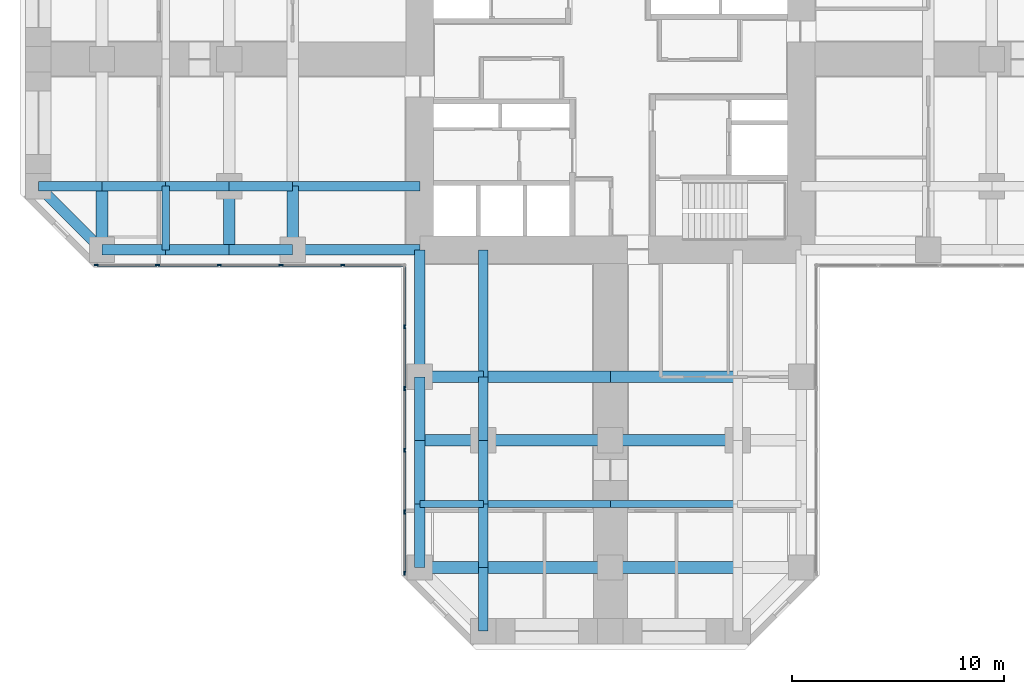
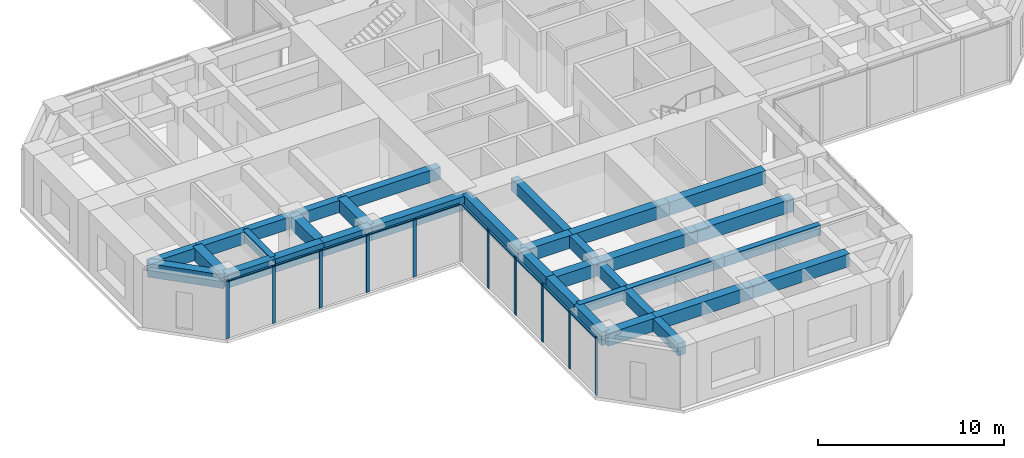
# One storey, part 2 of 13: 35 beams, 20 members, 2 elements without a shape of their own.
"""IFC4 building model written with IfcOpenShell, lengths in metres."""

from ifc_helpers import new_model, si_unit, direction, frame, origin, origin_2d, place, context, subcontext, project, spatial, rectangle, extrude, material, material_profile, profile_set, type_object, element, aggregate, save


model = new_model("IFC4")

# Units and contexts
model_context = context("Model", 3, precision=1e-05, world=origin(), true_north=direction((0.0, 1.0)))
body_context = subcontext(model_context, "Body", "Model", "MODEL_VIEW")
ifc_project = project(units=[si_unit("LENGTHUNIT", "METRE"), si_unit("AREAUNIT", "SQUARE_METRE"), si_unit("VOLUMEUNIT", "CUBIC_METRE"), si_unit("PLANEANGLEUNIT", "RADIAN"), si_unit("MASSUNIT", "GRAM", prefix="KILO")], contexts=[model_context])

# Site, building, storey
site_placement = place(None, origin())
site = spatial("IfcSite", under=ifc_project, at=site_placement, CompositionType="ELEMENT")
building_placement = place(site_placement, origin())
building = spatial("IfcBuilding", under=site, at=building_placement, Name="Torre Cruceta", CompositionType="ELEMENT")
storey_placement = place(building_placement, frame((0.0, 0.0, 31.5)))
storey = spatial("IfcBuildingStorey", under=building, at=storey_placement, Name="L07", CompositionType="ELEMENT", Elevation=31.5)

# Beams
ifc_material_1 = material(Name="Concrete G60 (fck 60 MPa)", Category="concrete")
ifc_material_profile_1 = material_profile(ifc_material_1, rectangle(XDim=0.449951171875, YDim=0.800048828125, at=origin_2d()), Name="RC 450X800")
ifc_profile_set_1 = profile_set([ifc_material_profile_1], Name="Concrete G60 (fck 60 MPa)")
beam_type_1 = type_object("IfcBeamType", Name="COLUMN LINE BEAM RC 450X800", PredefinedType="BEAM", material=ifc_profile_set_1)
beam_1_placement = place(storey_placement, frame((-6.0, -9.0, 3.39990234375), z_axis=(0.0, -1.0, 0.0), x_axis=(1.0, 0.0, 0.0)))
element("IfcBeam", 1, at=beam_1_placement, inside=storey, type_object=beam_type_1, Name="LB1 L07 S col- 1", PredefinedType="BEAM", context=body_context, shape_type="SweptSolid", body=[
    extrude(rectangle(XDim=0.449951171875, YDim=0.800048828125, at=origin_2d()), origin(), (0.0, 0.0, 1.0), 6.0),
])
for number, where, z_axis, x_axis, name in (
    (2, (-6.0, -15.0, 3.39990234375), (0.0, -1.0, 0.0), (1.0, 0.0, 0.0), "LB1 L07 S col- 2"),
    (3, (-6.0, -18.0, 3.39990234375), (0.0, -1.0, 0.0), (1.0, 0.0, 0.0), "LB1 L07 S col- 3"),
    (4, (-6.0, -21.0, 3.39990234375), (0.0, -1.0, 0.0), (1.0, 0.0, 0.0), "LB1 L07 S col- 4"),
    (5, (-6.0, -24.0, 3.39990234375), (0.0, -1.0, 0.0), (1.0, 0.0, 0.0), "LB1 L07 S col- 5"),
):
    element("IfcBeam", number, at=place(storey_placement, frame(where, z_axis=z_axis, x_axis=x_axis)), inside=storey, type_object=beam_type_1, Name=name, PredefinedType="BEAM", context=body_context, shape_type="SweptSolid", body=[
        extrude(rectangle(XDim=0.449951171875, YDim=0.800048828125, at=origin_2d()), origin(), (0.0, 0.0, 1.0), 3.0),
    ])
beam_2_placement = place(storey_placement, frame((-9.0, -6.0, 3.39990234375), z_axis=(-1.0, 0.0, 0.0), x_axis=(0.0, -1.0, 0.0)))
element("IfcBeam", 6, at=beam_2_placement, inside=storey, type_object=beam_type_1, Name="LB1 L07 W col+ 1", PredefinedType="BEAM", context=body_context, shape_type="SweptSolid", body=[
    extrude(rectangle(XDim=0.449951171875, YDim=0.800048828125, at=origin_2d()), origin(), (0.0, 0.0, 1.0), 6.0),
])
for number, where, z_axis, x_axis, name in (
    (7, (-15.0, -6.0, 3.39990234375), (-1.0, 0.0, 0.0), (0.0, -1.0, 0.0), "LB1 L07 W col+ 2"),
    (8, (-18.0, -6.0, 3.39990234375), (-1.0, 0.0, 0.0), (0.0, -1.0, 0.0), "LB1 L07 W col+ 3"),
    (9, (-21.0, -6.0, 3.39990234375), (-1.0, 0.0, 0.0), (0.0, -1.0, 0.0), "LB1 L07 W col+ 4"),
    (10, (-24.0, -6.0, 3.39990234375), (-1.0, 0.0, 0.0), (0.0, -1.0, 0.0), "LB1 L07 W col+ 5"),
):
    element("IfcBeam", number, at=place(storey_placement, frame(where, z_axis=z_axis, x_axis=x_axis)), inside=storey, type_object=beam_type_1, Name=name, PredefinedType="BEAM", context=body_context, shape_type="SweptSolid", body=[
        extrude(rectangle(XDim=0.449951171875, YDim=0.800048828125, at=origin_2d()), origin(), (0.0, 0.0, 1.0), 3.0),
    ])
ifc_material_2 = material(Name="Concrete G60 (fck 60 MPa)", Category="concrete")
ifc_material_profile_2 = material_profile(ifc_material_2, rectangle(XDim=0.550048828125, YDim=0.85009765625, at=origin_2d()), Name="RC 550X850")
ifc_profile_set_2 = profile_set([ifc_material_profile_2], Name="Concrete G60 (fck 60 MPa)")
beam_type_2 = type_object("IfcBeamType", Name="CROSS BEAM RC 550X850", PredefinedType="BEAM", material=ifc_profile_set_2)
beam_3_placement = place(storey_placement, frame((-9.0, -15.0, 3.375), z_axis=(1.0, 0.0, 0.0), x_axis=(0.0, 1.0, 0.0)))
element("IfcBeam", 11, at=beam_3_placement, inside=storey, type_object=beam_type_2, Name="GB4 L07 S cross15 1", PredefinedType="BEAM", context=body_context, shape_type="SweptSolid", body=[
    extrude(rectangle(XDim=0.550048828125, YDim=0.85009765625, at=origin_2d()), origin(), (0.0, 0.0, 1.0), 3.0),
])
for number, where, z_axis, x_axis, name in (
    (12, (-6.0, -15.0, 3.375), (1.0, 0.0, 0.0), (0.0, 1.0, 0.0), "GB4 L07 S cross15 2"),
    (13, (0.0, -15.0, 3.375), (1.0, 0.0, 0.0), (0.0, 1.0, 0.0), "GB4 L07 S cross15 3"),
):
    element("IfcBeam", number, at=place(storey_placement, frame(where, z_axis=z_axis, x_axis=x_axis)), inside=storey, type_object=beam_type_2, Name=name, PredefinedType="BEAM", context=body_context, shape_type="SweptSolid", body=[
        extrude(rectangle(XDim=0.550048828125, YDim=0.85009765625, at=origin_2d()), origin(), (0.0, 0.0, 1.0), 6.0),
    ])
beam_4_placement = place(storey_placement, frame((-9.0, -18.0, 3.375), z_axis=(1.0, 0.0, 0.0), x_axis=(0.0, 1.0, 0.0)))
element("IfcBeam", 14, at=beam_4_placement, inside=storey, type_object=beam_type_2, Name="GB4 L07 S cross18 1", PredefinedType="BEAM", context=body_context, shape_type="SweptSolid", body=[
    extrude(rectangle(XDim=0.550048828125, YDim=0.85009765625, at=origin_2d()), origin(), (0.0, 0.0, 1.0), 3.0),
])
for number, where, z_axis, x_axis, name in (
    (15, (-6.0, -18.0, 3.375), (1.0, 0.0, 0.0), (0.0, 1.0, 0.0), "GB4 L07 S cross18 2"),
    (16, (0.0, -18.0, 3.375), (1.0, 0.0, 0.0), (0.0, 1.0, 0.0), "GB4 L07 S cross18 3"),
):
    element("IfcBeam", number, at=place(storey_placement, frame(where, z_axis=z_axis, x_axis=x_axis)), inside=storey, type_object=beam_type_2, Name=name, PredefinedType="BEAM", context=body_context, shape_type="SweptSolid", body=[
        extrude(rectangle(XDim=0.550048828125, YDim=0.85009765625, at=origin_2d()), origin(), (0.0, 0.0, 1.0), 6.0),
    ])
beam_5_placement = place(storey_placement, frame((-9.0, -24.0, 3.375), z_axis=(1.0, 0.0, 0.0), x_axis=(0.0, 1.0, 0.0)))
element("IfcBeam", 17, at=beam_5_placement, inside=storey, type_object=beam_type_2, Name="GB4 L07 S cross24 1", PredefinedType="BEAM", context=body_context, shape_type="SweptSolid", body=[
    extrude(rectangle(XDim=0.550048828125, YDim=0.85009765625, at=origin_2d()), origin(), (0.0, 0.0, 1.0), 3.0),
])
for number, where, z_axis, x_axis, name in (
    (18, (-6.0, -24.0, 3.375), (1.0, 0.0, 0.0), (0.0, 1.0, 0.0), "GB4 L07 S cross24 2"),
    (19, (0.0, -24.0, 3.375), (1.0, 0.0, 0.0), (0.0, 1.0, 0.0), "GB4 L07 S cross24 3"),
):
    element("IfcBeam", number, at=place(storey_placement, frame(where, z_axis=z_axis, x_axis=x_axis)), inside=storey, type_object=beam_type_2, Name=name, PredefinedType="BEAM", context=body_context, shape_type="SweptSolid", body=[
        extrude(rectangle(XDim=0.550048828125, YDim=0.85009765625, at=origin_2d()), origin(), (0.0, 0.0, 1.0), 6.0),
    ])
for number, where, z_axis, x_axis, name in (
    (20, (-15.0, -6.0, 3.375), (0.0, -1.0, 0.0), (1.0, 0.0, 0.0), "GB4 L07 W cross15 4"),
    (21, (-18.0, -6.0, 3.375), (0.0, -1.0, 0.0), (1.0, 0.0, 0.0), "GB4 L07 W cross18 4"),
    (22, (-24.0, -6.0, 3.375), (0.0, -1.0, 0.0), (1.0, 0.0, 0.0), "GB4 L07 W cross24 4"),
):
    element("IfcBeam", number, at=place(storey_placement, frame(where, z_axis=z_axis, x_axis=x_axis)), inside=storey, type_object=beam_type_2, Name=name, PredefinedType="BEAM", context=body_context, shape_type="SweptSolid", body=[
        extrude(rectangle(XDim=0.550048828125, YDim=0.85009765625, at=origin_2d()), origin(), (0.0, 0.0, 1.0), 3.0),
    ])

# Curtain wall, members
ifc_material_3 = material(Name="Aluminium unitised curtain wall", Category="aluminium")
curtain_wall_type = type_object("IfcCurtainWallType", Name="CURTAIN WALL CW-A OFFICE LOW RISE", PredefinedType="USERDEFINED", material=ifc_material_3)
curtain_wall_1_placement = place(storey_placement, origin())
curtain_wall_1 = element("IfcCurtainWall", 23, at=curtain_wall_1_placement, inside=storey, type_object=curtain_wall_type, Name="CW-A L07 W side 14", ObjectType="UNITISED", PredefinedType="USERDEFINED")
ifc_material_4 = material(Name="Aluminium mullion", Category="aluminium")
ifc_material_profile_3 = material_profile(ifc_material_4, rectangle(XDim=0.06494140625, YDim=0.199951171875, at=origin_2d()), Name="AL 65X200")
ifc_profile_set_3 = profile_set([ifc_material_profile_3], Name="Aluminium mullion")
member_type_1 = type_object("IfcMemberType", Name="CW-A MULLION 65X200", PredefinedType="MULLION", material=ifc_profile_set_3)
member_1_placement = place(storey_placement, frame((-24.265625, -9.719970703125, 0.0), z_axis=(0.0, 0.0, 1.0), x_axis=(0.0, 1.0, 0.0)))
member_1 = element("IfcMember", 24, at=member_1_placement, type_object=member_type_1, Name="CW-A mullion 1", PredefinedType="MULLION", context=body_context, shape_type="SweptSolid", body=[
    extrude(rectangle(XDim=0.06494140625, YDim=0.199951171875, at=origin_2d()), origin(), (0.0, 0.0, 1.0), 3.800048828125),
])
member_2_placement = place(storey_placement, frame((-21.382568359375, -9.719970703125, 0.0), z_axis=(0.0, 0.0, 1.0), x_axis=(0.0, 1.0, 0.0)))
member_2 = element("IfcMember", 25, at=member_2_placement, type_object=member_type_1, Name="CW-A mullion 2", PredefinedType="MULLION", context=body_context, shape_type="SweptSolid", body=[
    extrude(rectangle(XDim=0.06494140625, YDim=0.199951171875, at=origin_2d()), origin(), (0.0, 0.0, 1.0), 3.800048828125),
])
member_3_placement = place(storey_placement, frame((-18.467041015625, -9.719970703125, 0.0), z_axis=(0.0, 0.0, 1.0), x_axis=(0.0, 1.0, 0.0)))
member_3 = element("IfcMember", 26, at=member_3_placement, type_object=member_type_1, Name="CW-A mullion 3", PredefinedType="MULLION", context=body_context, shape_type="SweptSolid", body=[
    extrude(rectangle(XDim=0.06494140625, YDim=0.199951171875, at=origin_2d()), origin(), (0.0, 0.0, 1.0), 3.800048828125),
])
member_4_placement = place(storey_placement, frame((-15.55126953125, -9.719970703125, 0.0), z_axis=(0.0, 0.0, 1.0), x_axis=(0.0, 1.0, 0.0)))
member_4 = element("IfcMember", 27, at=member_4_placement, type_object=member_type_1, Name="CW-A mullion 4", PredefinedType="MULLION", context=body_context, shape_type="SweptSolid", body=[
    extrude(rectangle(XDim=0.06494140625, YDim=0.199951171875, at=origin_2d()), origin(), (0.0, 0.0, 1.0), 3.800048828125),
])
member_5_placement = place(storey_placement, frame((-12.6357421875, -9.719970703125, 0.0), z_axis=(0.0, 0.0, 1.0), x_axis=(0.0, 1.0, 0.0)))
member_5 = element("IfcMember", 28, at=member_5_placement, type_object=member_type_1, Name="CW-A mullion 5", PredefinedType="MULLION", context=body_context, shape_type="SweptSolid", body=[
    extrude(rectangle(XDim=0.06494140625, YDim=0.199951171875, at=origin_2d()), origin(), (0.0, 0.0, 1.0), 3.800048828125),
])

curtain_wall_2_placement = place(storey_placement, origin())
curtain_wall_2 = element("IfcCurtainWall", 29, at=curtain_wall_2_placement, inside=storey, type_object=curtain_wall_type, Name="CW-A L07 S side 15", ObjectType="UNITISED", PredefinedType="USERDEFINED")
member_6_placement = place(storey_placement, frame((-9.719970703125, -12.6357421875, 0.0), z_axis=(0.0, 0.0, 1.0), x_axis=(1.0, 0.0, 0.0)))
member_6 = element("IfcMember", 30, at=member_6_placement, type_object=member_type_1, Name="CW-A mullion 2", PredefinedType="MULLION", context=body_context, shape_type="SweptSolid", body=[
    extrude(rectangle(XDim=0.06494140625, YDim=0.199951171875, at=origin_2d()), origin(), (0.0, 0.0, 1.0), 3.800048828125),
])
member_7_placement = place(storey_placement, frame((-9.719970703125, -15.55126953125, 0.0), z_axis=(0.0, 0.0, 1.0), x_axis=(1.0, 0.0, 0.0)))
member_7 = element("IfcMember", 31, at=member_7_placement, type_object=member_type_1, Name="CW-A mullion 3", PredefinedType="MULLION", context=body_context, shape_type="SweptSolid", body=[
    extrude(rectangle(XDim=0.06494140625, YDim=0.199951171875, at=origin_2d()), origin(), (0.0, 0.0, 1.0), 3.800048828125),
])
member_8_placement = place(storey_placement, frame((-9.719970703125, -18.467041015625, 0.0), z_axis=(0.0, 0.0, 1.0), x_axis=(1.0, 0.0, 0.0)))
member_8 = element("IfcMember", 32, at=member_8_placement, type_object=member_type_1, Name="CW-A mullion 4", PredefinedType="MULLION", context=body_context, shape_type="SweptSolid", body=[
    extrude(rectangle(XDim=0.06494140625, YDim=0.199951171875, at=origin_2d()), origin(), (0.0, 0.0, 1.0), 3.800048828125),
])
member_9_placement = place(storey_placement, frame((-9.719970703125, -21.382568359375, 0.0), z_axis=(0.0, 0.0, 1.0), x_axis=(1.0, 0.0, 0.0)))
member_9 = element("IfcMember", 33, at=member_9_placement, type_object=member_type_1, Name="CW-A mullion 5", PredefinedType="MULLION", context=body_context, shape_type="SweptSolid", body=[
    extrude(rectangle(XDim=0.06494140625, YDim=0.199951171875, at=origin_2d()), origin(), (0.0, 0.0, 1.0), 3.800048828125),
])
member_10_placement = place(storey_placement, frame((-9.719970703125, -24.265625, 0.0), z_axis=(0.0, 0.0, 1.0), x_axis=(1.0, 0.0, 0.0)))
member_10 = element("IfcMember", 34, at=member_10_placement, type_object=member_type_1, Name="CW-A mullion 6", PredefinedType="MULLION", context=body_context, shape_type="SweptSolid", body=[
    extrude(rectangle(XDim=0.06494140625, YDim=0.199951171875, at=origin_2d()), origin(), (0.0, 0.0, 1.0), 3.800048828125),
])

# Member
ifc_material_5 = material(Name="Aluminium transom", Category="aluminium")
ifc_material_profile_4 = material_profile(ifc_material_5, rectangle(XDim=0.1201171875, YDim=0.06494140625, at=origin_2d()), Name="AL 120X65")
ifc_profile_set_4 = profile_set([ifc_material_profile_4], Name="Aluminium transom")
member_type_2 = type_object("IfcMemberType", Name="CW-A TRANSOM 65X120", PredefinedType="USERDEFINED", material=ifc_profile_set_4)
member_11_placement = place(storey_placement, frame((-24.233154296875, -9.719970703125, 3.767578125), z_axis=(1.0, 0.0, 0.0), x_axis=(0.0, 1.0, 0.0)))
member_11 = element("IfcMember", 35, at=member_11_placement, type_object=member_type_2, Name="CW-A transom 1", ObjectType="TRANSOM", PredefinedType="USERDEFINED", context=body_context, shape_type="SweptSolid", body=[
    extrude(rectangle(XDim=0.1201171875, YDim=0.06494140625, at=origin_2d()), origin(), (0.0, 0.0, 1.0), 2.818115234375),
])

member_12_placement = place(storey_placement, frame((-21.35009765625, -9.719970703125, 3.767578125), z_axis=(1.0, 0.0, 0.0), x_axis=(0.0, 1.0, 0.0)))
member_12 = element("IfcMember", 36, at=member_12_placement, type_object=member_type_2, Name="CW-A transom 2", ObjectType="TRANSOM", PredefinedType="USERDEFINED", context=body_context, shape_type="SweptSolid", body=[
    extrude(rectangle(XDim=0.1201171875, YDim=0.06494140625, at=origin_2d()), origin(), (0.0, 0.0, 1.0), 2.8505859375),
])

member_13_placement = place(storey_placement, frame((-18.434326171875, -9.719970703125, 3.767578125), z_axis=(1.0, 0.0, 0.0), x_axis=(0.0, 1.0, 0.0)))
member_13 = element("IfcMember", 37, at=member_13_placement, type_object=member_type_2, Name="CW-A transom 3", ObjectType="TRANSOM", PredefinedType="USERDEFINED", context=body_context, shape_type="SweptSolid", body=[
    extrude(rectangle(XDim=0.1201171875, YDim=0.06494140625, at=origin_2d()), origin(), (0.0, 0.0, 1.0), 2.8505859375),
])

member_14_placement = place(storey_placement, frame((-15.518798828125, -9.719970703125, 3.767578125), z_axis=(1.0, 0.0, 0.0), x_axis=(0.0, 1.0, 0.0)))
member_14 = element("IfcMember", 38, at=member_14_placement, type_object=member_type_2, Name="CW-A transom 4", ObjectType="TRANSOM", PredefinedType="USERDEFINED", context=body_context, shape_type="SweptSolid", body=[
    extrude(rectangle(XDim=0.1201171875, YDim=0.06494140625, at=origin_2d()), origin(), (0.0, 0.0, 1.0), 2.8505859375),
])

member_15_placement = place(storey_placement, frame((-12.60302734375, -9.719970703125, 3.767578125), z_axis=(1.0, 0.0, 0.0), x_axis=(0.0, 1.0, 0.0)))
member_15 = element("IfcMember", 39, at=member_15_placement, type_object=member_type_2, Name="CW-A transom 5", ObjectType="TRANSOM", PredefinedType="USERDEFINED", context=body_context, shape_type="SweptSolid", body=[
    extrude(rectangle(XDim=0.1201171875, YDim=0.06494140625, at=origin_2d()), origin(), (0.0, 0.0, 1.0), 2.818115234375),
])

aggregate(curtain_wall_1, [member_1, member_2, member_3, member_4, member_5, member_11, member_12, member_13, member_14, member_15])

member_16_placement = place(storey_placement, frame((-9.719970703125, -9.784912109375, 3.767578125), z_axis=(0.0, -1.0, 0.0), x_axis=(1.0, 0.0, 0.0)))
member_16 = element("IfcMember", 40, at=member_16_placement, type_object=member_type_2, Name="CW-A transom 1", ObjectType="TRANSOM", PredefinedType="USERDEFINED", context=body_context, shape_type="SweptSolid", body=[
    extrude(rectangle(XDim=0.1201171875, YDim=0.06494140625, at=origin_2d()), origin(), (0.0, 0.0, 1.0), 2.818115234375),
])

member_17_placement = place(storey_placement, frame((-9.719970703125, -12.668212890625, 3.767578125), z_axis=(0.0, -1.0, 0.0), x_axis=(1.0, 0.0, 0.0)))
member_17 = element("IfcMember", 41, at=member_17_placement, type_object=member_type_2, Name="CW-A transom 2", ObjectType="TRANSOM", PredefinedType="USERDEFINED", context=body_context, shape_type="SweptSolid", body=[
    extrude(rectangle(XDim=0.1201171875, YDim=0.06494140625, at=origin_2d()), origin(), (0.0, 0.0, 1.0), 2.8505859375),
])

member_18_placement = place(storey_placement, frame((-9.719970703125, -15.583740234375, 3.767578125), z_axis=(0.0, -1.0, 0.0), x_axis=(1.0, 0.0, 0.0)))
member_18 = element("IfcMember", 42, at=member_18_placement, type_object=member_type_2, Name="CW-A transom 3", ObjectType="TRANSOM", PredefinedType="USERDEFINED", context=body_context, shape_type="SweptSolid", body=[
    extrude(rectangle(XDim=0.1201171875, YDim=0.06494140625, at=origin_2d()), origin(), (0.0, 0.0, 1.0), 2.8505859375),
])

member_19_placement = place(storey_placement, frame((-9.719970703125, -18.49951171875, 3.767578125), z_axis=(0.0, -1.0, 0.0), x_axis=(1.0, 0.0, 0.0)))
member_19 = element("IfcMember", 43, at=member_19_placement, type_object=member_type_2, Name="CW-A transom 4", ObjectType="TRANSOM", PredefinedType="USERDEFINED", context=body_context, shape_type="SweptSolid", body=[
    extrude(rectangle(XDim=0.1201171875, YDim=0.06494140625, at=origin_2d()), origin(), (0.0, 0.0, 1.0), 2.8505859375),
])

member_20_placement = place(storey_placement, frame((-9.719970703125, -21.4150390625, 3.767578125), z_axis=(0.0, -1.0, 0.0), x_axis=(1.0, 0.0, 0.0)))
member_20 = element("IfcMember", 44, at=member_20_placement, type_object=member_type_2, Name="CW-A transom 5", ObjectType="TRANSOM", PredefinedType="USERDEFINED", context=body_context, shape_type="SweptSolid", body=[
    extrude(rectangle(XDim=0.1201171875, YDim=0.06494140625, at=origin_2d()), origin(), (0.0, 0.0, 1.0), 2.818115234375),
])

aggregate(curtain_wall_2, [member_6, member_7, member_8, member_9, member_10, member_16, member_17, member_18, member_19, member_20])

# Beams
ifc_material_6 = material(Name="Concrete G60 (fck 60 MPa)", Category="concrete")
ifc_material_profile_5 = material_profile(ifc_material_6, rectangle(XDim=0.35009765625, YDim=0.64990234375, at=origin_2d()), Name="RC 350X650")
ifc_profile_set_5 = profile_set([ifc_material_profile_5], Name="Concrete G60 (fck 60 MPa)")
beam_type_3 = type_object("IfcBeamType", Name="SECONDARY BEAM RC 350X650", PredefinedType="JOIST", material=ifc_profile_set_5)
beam_6_placement = place(storey_placement, frame((-9.0, -21.0, 3.47509765625), z_axis=(1.0, 0.0, 0.0), x_axis=(0.0, 1.0, 0.0)))
element("IfcBeam", 45, at=beam_6_placement, inside=storey, type_object=beam_type_3, Name="JB3 L07 S sec21 1", PredefinedType="JOIST", context=body_context, shape_type="SweptSolid", body=[
    extrude(rectangle(XDim=0.35009765625, YDim=0.64990234375, at=origin_2d()), origin(), (0.0, 0.0, 1.0), 3.0),
])
for number, where, z_axis, x_axis, name in (
    (46, (-6.0, -21.0, 3.47509765625), (1.0, 0.0, 0.0), (0.0, 1.0, 0.0), "JB3 L07 S sec21 2"),
    (47, (0.0, -21.0, 3.47509765625), (1.0, 0.0, 0.0), (0.0, 1.0, 0.0), "JB3 L07 S sec21 3"),
):
    element("IfcBeam", number, at=place(storey_placement, frame(where, z_axis=z_axis, x_axis=x_axis)), inside=storey, type_object=beam_type_3, Name=name, PredefinedType="JOIST", context=body_context, shape_type="SweptSolid", body=[
        extrude(rectangle(XDim=0.35009765625, YDim=0.64990234375, at=origin_2d()), origin(), (0.0, 0.0, 1.0), 6.0),
    ])
beam_7_placement = place(storey_placement, frame((-21.0, -6.0, 3.47509765625), z_axis=(0.0, -1.0, 0.0), x_axis=(1.0, 0.0, 0.0)))
element("IfcBeam", 48, at=beam_7_placement, inside=storey, type_object=beam_type_3, Name="JB3 L07 W sec21 4", PredefinedType="JOIST", context=body_context, shape_type="SweptSolid", body=[
    extrude(rectangle(XDim=0.35009765625, YDim=0.64990234375, at=origin_2d()), origin(), (0.0, 0.0, 1.0), 3.0),
])
ifc_material_7 = material(Name="Concrete G60 (fck 60 MPa)", Category="concrete")
ifc_material_profile_6 = material_profile(ifc_material_7, rectangle(XDim=0.5, YDim=0.89990234375, at=origin_2d()), Name="RC 500X900")
ifc_profile_set_6 = profile_set([ifc_material_profile_6], Name="Concrete G60 (fck 60 MPa)")
beam_type_4 = type_object("IfcBeamType", Name="SPANDREL BEAM RC 500X900", PredefinedType="SPANDREL", material=ifc_profile_set_6)
beam_8_placement = place(storey_placement, frame((-9.0, -9.0, 3.35009765625), z_axis=(0.0, -1.0, 0.0), x_axis=(1.0, 0.0, 0.0)))
element("IfcBeam", 49, at=beam_8_placement, inside=storey, type_object=beam_type_4, Name="SB4 L07 S side- 1", PredefinedType="SPANDREL", context=body_context, shape_type="SweptSolid", body=[
    extrude(rectangle(XDim=0.5, YDim=0.89990234375, at=origin_2d()), origin(), (0.0, 0.0, 1.0), 6.0),
])
for number, where, z_axis, x_axis, name in (
    (50, (-9.0, -15.0, 3.35009765625), (0.0, -1.0, 0.0), (1.0, 0.0, 0.0), "SB4 L07 S side- 2"),
    (51, (-9.0, -18.0, 3.35009765625), (0.0, -1.0, 0.0), (1.0, 0.0, 0.0), "SB4 L07 S side- 3"),
    (52, (-9.0, -21.0, 3.35009765625), (0.0, -1.0, 0.0), (1.0, 0.0, 0.0), "SB4 L07 S side- 4"),
):
    element("IfcBeam", number, at=place(storey_placement, frame(where, z_axis=z_axis, x_axis=x_axis)), inside=storey, type_object=beam_type_4, Name=name, PredefinedType="SPANDREL", context=body_context, shape_type="SweptSolid", body=[
        extrude(rectangle(XDim=0.5, YDim=0.89990234375, at=origin_2d()), origin(), (0.0, 0.0, 1.0), 3.0),
    ])
beam_9_placement = place(storey_placement, frame((-9.0, -9.0, 3.35009765625), z_axis=(-1.0, 0.0, 0.0), x_axis=(0.0, -1.0, 0.0)))
element("IfcBeam", 53, at=beam_9_placement, inside=storey, type_object=beam_type_4, Name="SB4 L07 W side+ 1", PredefinedType="SPANDREL", context=body_context, shape_type="SweptSolid", body=[
    extrude(rectangle(XDim=0.5, YDim=0.89990234375, at=origin_2d()), origin(), (0.0, 0.0, 1.0), 6.0),
])
for number, where, z_axis, x_axis, name in (
    (54, (-15.0, -9.0, 3.35009765625), (-1.0, 0.0, 0.0), (0.0, -1.0, 0.0), "SB4 L07 W side+ 2"),
    (55, (-18.0, -9.0, 3.35009765625), (-1.0, 0.0, 0.0), (0.0, -1.0, 0.0), "SB4 L07 W side+ 3"),
    (56, (-21.0, -9.0, 3.35009765625), (-1.0, 0.0, 0.0), (0.0, -1.0, 0.0), "SB4 L07 W side+ 4"),
):
    element("IfcBeam", number, at=place(storey_placement, frame(where, z_axis=z_axis, x_axis=x_axis)), inside=storey, type_object=beam_type_4, Name=name, PredefinedType="SPANDREL", context=body_context, shape_type="SweptSolid", body=[
        extrude(rectangle(XDim=0.5, YDim=0.89990234375, at=origin_2d()), origin(), (0.0, 0.0, 1.0), 3.0),
    ])
beam_10_placement = place(storey_placement, frame((-24.0, -9.0, 3.35009765625), z_axis=(-0.707106781187, 0.707106781187, 0.0), x_axis=(-0.707106781187, -0.707106781187, 0.0)))
element("IfcBeam", 57, at=beam_10_placement, inside=storey, type_object=beam_type_4, Name="SB4 L07 W side+ 5", PredefinedType="SPANDREL", context=body_context, shape_type="SweptSolid", body=[
    extrude(rectangle(XDim=0.5, YDim=0.89990234375, at=origin_2d()), origin(), (0.0, 0.0, 1.0), 4.24267578125),
])

save(model, "model.ifc")
